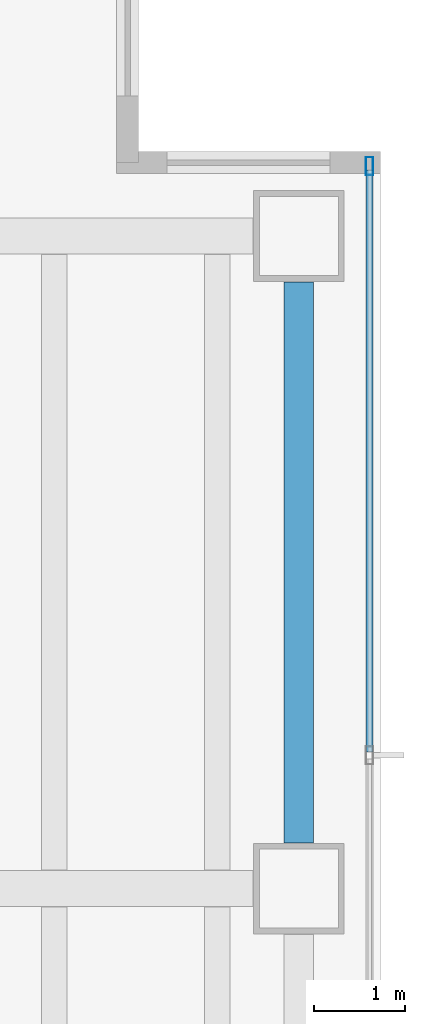
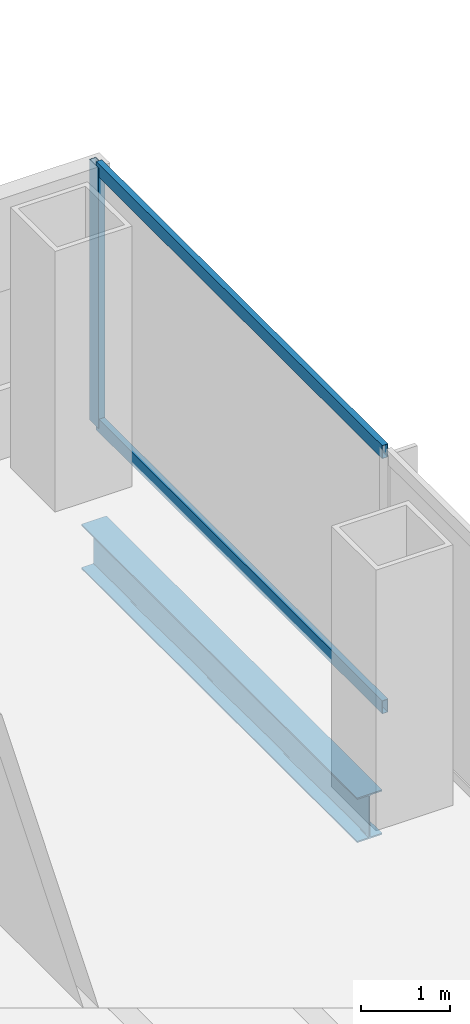
# One storey, part 13 of 25: 3 members, 1 beam, 1 element without a shape of its own.
"""IFC4 building model written with IfcOpenShell, lengths in metres."""

from ifc_helpers import new_model, si_unit, direction, frame, origin, origin_2d, place, context, subcontext, project, spatial, hollow_rectangle, i_section, extrude, material, material_profile, profile_set, type_object, element, aggregate, save


model = new_model("IFC4")

# Units and contexts
model_context = context("Model", 3, precision=1e-05, world=origin(), true_north=direction((0.0, 1.0)))
body_context = subcontext(model_context, "Body", "Model", "MODEL_VIEW")
ifc_project = project(units=[si_unit("LENGTHUNIT", "METRE"), si_unit("AREAUNIT", "SQUARE_METRE"), si_unit("VOLUMEUNIT", "CUBIC_METRE"), si_unit("PLANEANGLEUNIT", "RADIAN"), si_unit("MASSUNIT", "GRAM", prefix="KILO")], contexts=[model_context])

# Site, building, storey
site_placement = place(None, origin())
site = spatial("IfcSite", under=ifc_project, at=site_placement, CompositionType="ELEMENT")
building_placement = place(site_placement, origin())
building = spatial("IfcBuilding", under=site, at=building_placement, Name="Cobrela Telecom Tower", CompositionType="ELEMENT")
storey_placement = place(building_placement, frame((0.0, 0.0, 58.10009765625)))
storey = spatial("IfcBuildingStorey", under=building, at=storey_placement, Name="L14", CompositionType="ELEMENT", Elevation=58.10009765625)

# Beam
ifc_material_1 = material(Name="Steel ASTM A992 Grade 50", Category="steel")
ifc_material_profile_1 = material_profile(ifc_material_1, i_section(OverallWidth=0.324951171875, OverallDepth=0.612060546875, WebThickness=0.0126953125, FlangeThickness=0.01904296875, FilletRadius=0.014892578125, at=origin_2d()), Name="W24X104")
ifc_profile_set_1 = profile_set([ifc_material_profile_1], Name="Steel ASTM A992 Grade 50")
beam_type = type_object("IfcBeamType", Name="BM-SPAND-02", PredefinedType="SPANDREL", material=ifc_profile_set_1)
beam_placement = place(storey_placement, frame((49.5, 14.905029296875, -0.586181640625), z_axis=(0.0, 1.0, 0.0), x_axis=(-1.0, 0.0, 0.0)))
element("IfcBeam", 1, at=beam_placement, inside=storey, type_object=beam_type, Name="L14 Perimeter Spandrel Y57", PredefinedType="SPANDREL", context=body_context, shape_type="SweptSolid", body=[
    extrude(i_section(OverallWidth=0.324951171875, OverallDepth=0.612060546875, WebThickness=0.0126953125, FlangeThickness=0.01904296875, FilletRadius=0.014892578125, at=origin_2d()), origin(), (0.0, 0.0, 1.0), 6.18994140625),
])

# Curtain wall, members
ifc_material_2 = material(Name="Anodized Bronze Aluminium 6063-T6", Category="aluminium")
curtain_wall_type = type_object("IfcCurtainWallType", Name="CW-SYS-DATA", PredefinedType="USERDEFINED", material=ifc_material_2)
curtain_wall_placement = place(storey_placement, origin())
curtain_wall = element("IfcCurtainWall", 2, at=curtain_wall_placement, inside=storey, type_object=curtain_wall_type, Name="L14 Unitised Bronze Curtain Wall 14", ObjectType="UNITISED CURTAIN WALL", PredefinedType="USERDEFINED")
ifc_material_profile_2 = material_profile(ifc_material_2, hollow_rectangle(XDim=0.080078125, YDim=0.199951171875, WallThickness=0.00390625, at=origin_2d()), Name="ALU 80x200x4")
ifc_profile_set_2 = profile_set([ifc_material_profile_2], Name="Anodized Bronze Aluminium 6063-T6")
member_type_1 = type_object("IfcMemberType", Name="CW-SYS-DATA-MUL", PredefinedType="MULLION", material=ifc_profile_set_2)
member_1_placement = place(storey_placement, frame((50.280029296875, 22.3701171875, 0.0), z_axis=(0.0, 0.0, 1.0), x_axis=(1.0, 0.0, 0.0)))
member_1 = element("IfcMember", 3, at=member_1_placement, type_object=member_type_1, Name="CW-DATA mullion 1", PredefinedType="MULLION", context=body_context, shape_type="SweptSolid", body=[
    extrude(hollow_rectangle(XDim=0.080078125, YDim=0.199951171875, WallThickness=0.00390625, at=origin_2d()), origin(), (0.0, 0.0, 1.0), 3.56982421875),
])
ifc_material_profile_3 = material_profile(ifc_material_2, hollow_rectangle(XDim=0.074951171875, YDim=0.179931640625, WallThickness=0.00390625, at=origin_2d()), Name="ALU 75x180x4")
ifc_profile_set_3 = profile_set([ifc_material_profile_3], Name="Anodized Bronze Aluminium 6063-T6")
member_type_2 = type_object("IfcMemberType", Name="CW-SYS-DATA-TRN", PredefinedType="USERDEFINED", material=ifc_profile_set_3)
member_2_placement = place(storey_placement, frame((50.280029296875, 22.330078125, 0.037353515625), z_axis=(0.0, -1.0, 0.0), x_axis=(1.0, 0.0, 0.0)))
member_2 = element("IfcMember", 4, at=member_2_placement, type_object=member_type_2, Name="CW-DATA transom 1.1", ObjectType="TRANSOM", PredefinedType="USERDEFINED", context=body_context, shape_type="SweptSolid", body=[
    extrude(hollow_rectangle(XDim=0.074951171875, YDim=0.179931640625, WallThickness=0.00390625, at=origin_2d()), origin(), (0.0, 0.0, 1.0), 6.420166015625),
])
member_3_placement = place(storey_placement, frame((50.280029296875, 22.330078125, 3.532470703125), z_axis=(0.0, -1.0, 0.0), x_axis=(1.0, 0.0, 0.0)))
member_3 = element("IfcMember", 5, at=member_3_placement, type_object=member_type_2, Name="CW-DATA transom 1.2", ObjectType="TRANSOM", PredefinedType="USERDEFINED", context=body_context, shape_type="SweptSolid", body=[
    extrude(hollow_rectangle(XDim=0.074951171875, YDim=0.179931640625, WallThickness=0.00390625, at=origin_2d()), origin(), (0.0, 0.0, 1.0), 6.420166015625),
])
aggregate(curtain_wall, [member_1, member_2, member_3])

save(model, "model.ifc")
